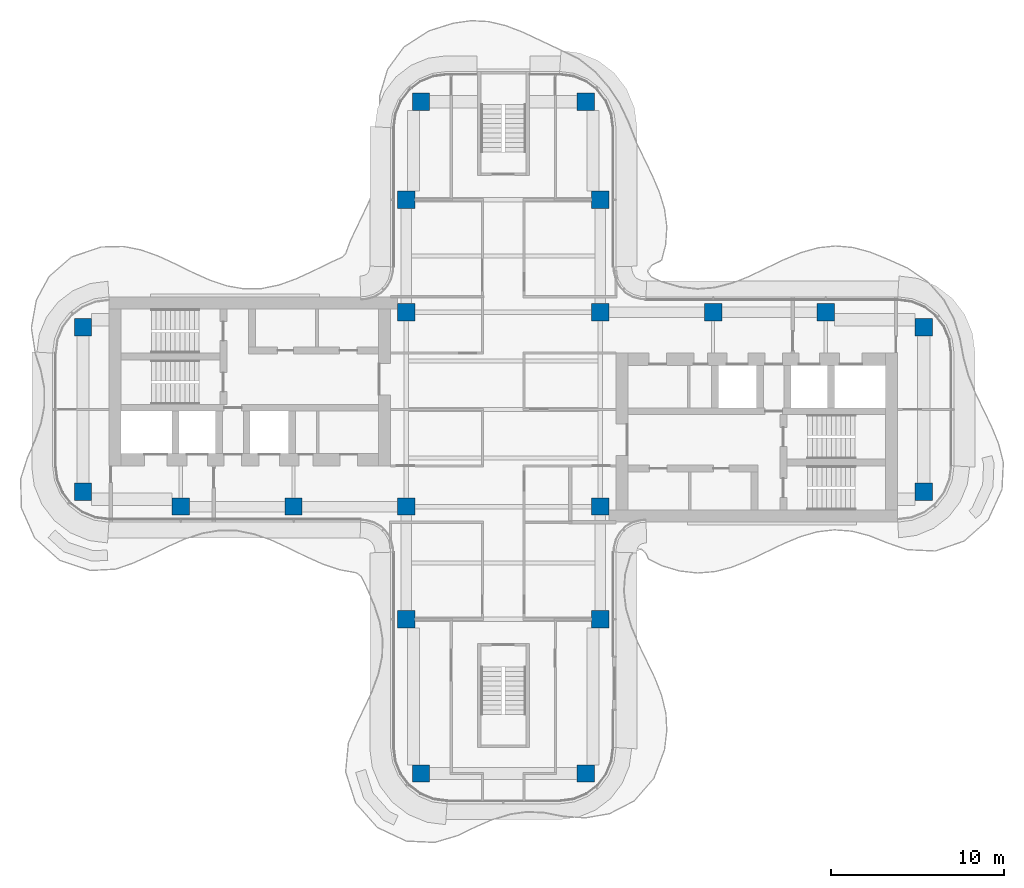
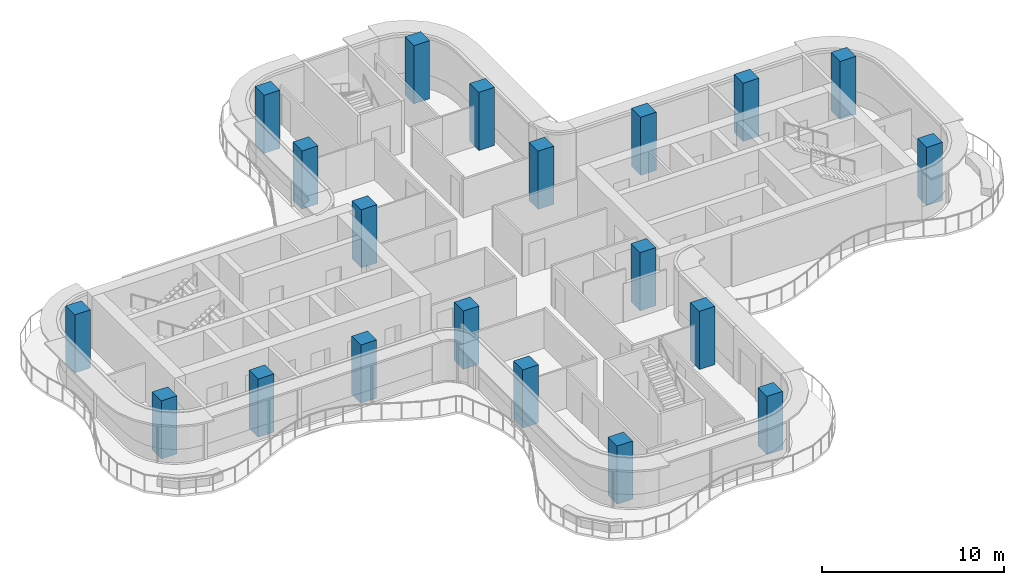
# One storey, part 1 of 15: 20 columns.
"""IFC4 building model written with IfcOpenShell, lengths in metres."""

from ifc_helpers import new_model, si_unit, direction, frame, origin, origin_2d, place, context, subcontext, project, spatial, rectangle, extrude, source, transform, mapped, material, material_profile, profile_set, type_object, element, save


model = new_model("IFC4")

# Units and contexts
model_context = context("Model", 3, precision=1e-05, world=origin(), true_north=direction((0.0, 1.0)))
body_context = subcontext(model_context, "Body", "Model", "MODEL_VIEW")
ifc_project = project(units=[si_unit("LENGTHUNIT", "METRE"), si_unit("AREAUNIT", "SQUARE_METRE"), si_unit("VOLUMEUNIT", "CUBIC_METRE"), si_unit("PLANEANGLEUNIT", "RADIAN"), si_unit("MASSUNIT", "GRAM", prefix="KILO")], contexts=[model_context])

# Site, building, storey
site_placement = place(None, origin())
site = spatial("IfcSite", under=ifc_project, at=site_placement, CompositionType="ELEMENT")
building_placement = place(site_placement, origin())
building = spatial("IfcBuilding", under=site, at=building_placement, Name="Trellis Farm Tower", CompositionType="ELEMENT")
storey_placement = place(building_placement, frame((0.0, 0.0, 326.199951171875)))
storey = spatial("IfcBuildingStorey", under=building, at=storey_placement, Name="L74", CompositionType="ELEMENT", Elevation=326.199951171875)

# Columns
ifc_material = material(Name="Concrete C60/75", Category="concrete")
ifc_material_profile = material_profile(ifc_material, rectangle(XDim=1.0, YDim=1.0, at=origin_2d()), Name="RC column 1000x1000 C60/75")
ifc_profile_set = profile_set([ifc_material_profile], Name="Concrete C60/75")
column_type = type_object("IfcColumnType", Name="RC column 1000x1000 C60/75", PredefinedType="COLUMN", material=ifc_profile_set)
shared_shape = source(origin(), body_context, "Body", "SweptSolid", [
    extrude(rectangle(XDim=1.0, YDim=1.0, at=origin_2d()), origin(), (0.0, 0.0, 1.0), 3.900146484375),
])
for number, where, z_axis, x_axis, name in (
    (1, (12.10009765625, 5.60009765625, 0.0), (0.0, 0.0, 1.0), (1.0, 0.0, 0.0), "Column"),
    (2, (18.60009765625, 5.60009765625, 0.0), (0.0, 0.0, 1.0), (1.0, 0.0, 0.0), "Column"),
    (3, (24.25, 4.75, 0.0), (0.0, 0.0, 1.0), (1.0, 0.0, 0.0), "Column"),
    (4, (24.25, -4.75, 0.0), (0.0, 0.0, 1.0), (1.0, 0.0, 0.0), "Column"),
    (5, (-5.60009765625, 12.10009765625, 0.0), (0.0, 0.0, 1.0), (1.0, 0.0, 0.0), "Column"),
    (6, (-4.75, 17.75, 0.0), (0.0, 0.0, 1.0), (1.0, 0.0, 0.0), "Column"),
    (7, (5.60009765625, 12.10009765625, 0.0), (0.0, 0.0, 1.0), (1.0, 0.0, 0.0), "Column"),
    (8, (4.75, 17.75, 0.0), (0.0, 0.0, 1.0), (1.0, 0.0, 0.0), "Column"),
    (9, (5.60009765625, 5.60009765625, 0.0), (0.0, 0.0, 1.0), (1.0, 0.0, 0.0), "Column"),
    (10, (-5.60009765625, 5.60009765625, 0.0), (0.0, 0.0, 1.0), (1.0, 0.0, 0.0), "Column"),
    (11, (5.60009765625, -5.60009765625, 0.0), (0.0, 0.0, 1.0), (1.0, 0.0, 0.0), "Column"),
    (12, (-5.60009765625, -5.60009765625, 0.0), (0.0, 0.0, 1.0), (1.0, 0.0, 0.0), "Column"),
    (13, (5.60009765625, -12.10009765625, 0.0), (0.0, 0.0, 1.0), (1.0, 0.0, 0.0), "Column"),
    (14, (4.75, -21.0, 0.0), (0.0, 0.0, 1.0), (1.0, 0.0, 0.0), "Column"),
    (15, (-5.60009765625, -12.10009765625, 0.0), (0.0, 0.0, 1.0), (1.0, 0.0, 0.0), "Column"),
    (16, (-4.75, -21.0, 0.0), (0.0, 0.0, 1.0), (1.0, 0.0, 0.0), "Column"),
    (17, (-12.10009765625, -5.60009765625, 0.0), (0.0, 0.0, 1.0), (1.0, 0.0, 0.0), "Column"),
    (18, (-18.60009765625, -5.60009765625, 0.0), (0.0, 0.0, 1.0), (1.0, 0.0, 0.0), "Column"),
    (19, (-24.25, -4.75, 0.0), (0.0, 0.0, 1.0), (1.0, 0.0, 0.0), "Column"),
    (20, (-24.25, 4.75, 0.0), (0.0, 0.0, 1.0), (1.0, 0.0, 0.0), "Column"),
):
    element("IfcColumn", number, at=place(storey_placement, frame(where, z_axis=z_axis, x_axis=x_axis)), inside=storey, type_object=column_type, Name=name, PredefinedType="COLUMN", context=body_context, shape_type="MappedRepresentation", body=[
        mapped(shared_shape, transform((0.0, 0.0, 0.0))),
    ])

save(model, "model.ifc")
